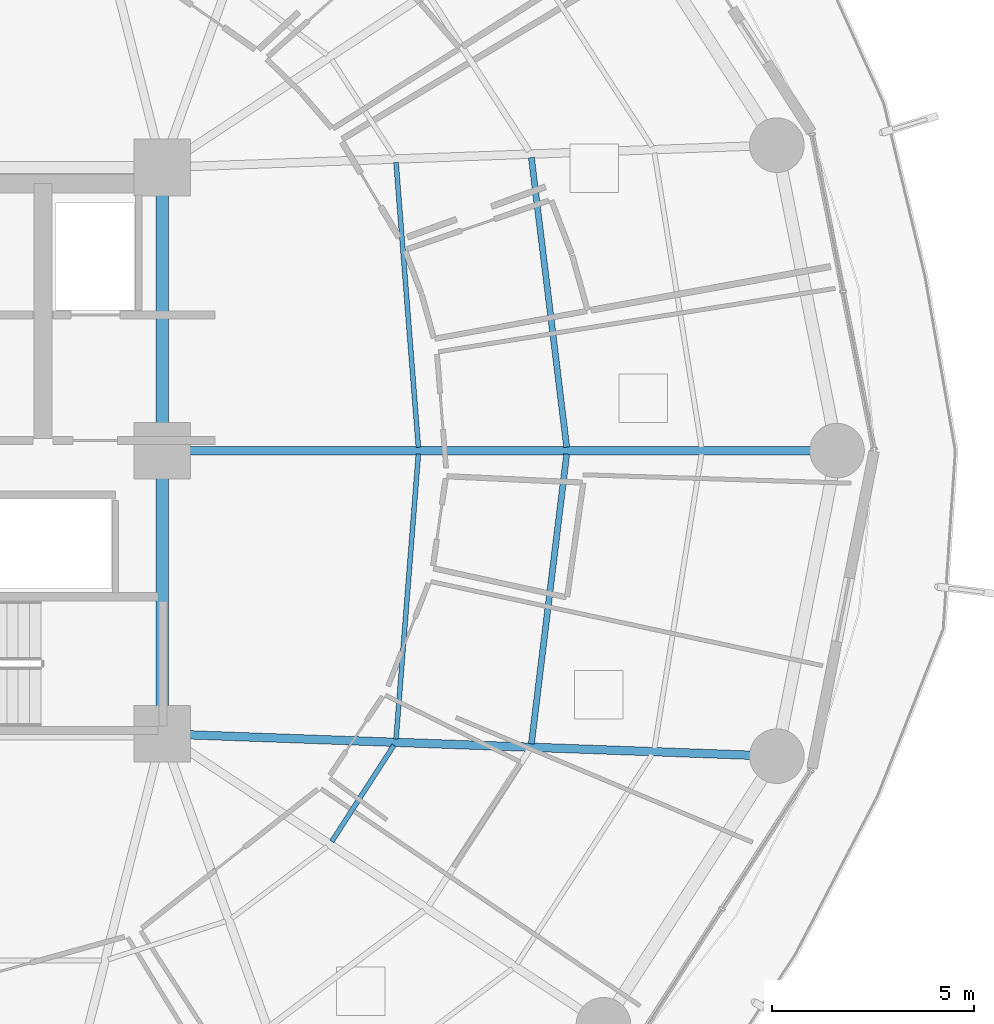
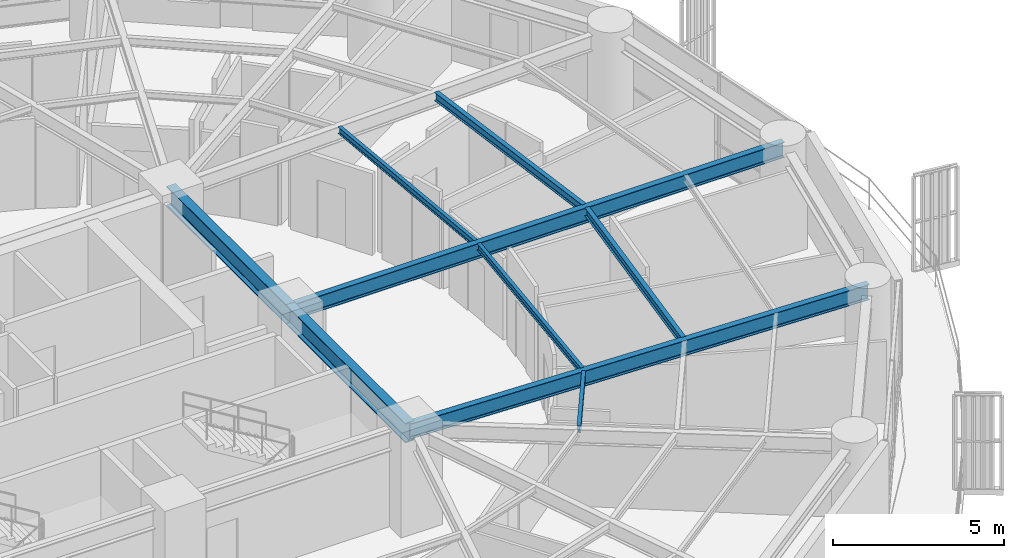
# One storey, part 12 of 33: 9 beams.
"""IFC4 building model written with IfcOpenShell, lengths in metres."""

from ifc_helpers import new_model, si_unit, direction, frame, origin, origin_2d, place, context, subcontext, project, spatial, i_section, extrude, material, material_profile, profile_set, type_object, element, save


model = new_model("IFC4")

# Units and contexts
model_context = context("Model", 3, precision=1e-05, world=origin(), true_north=direction((0.0, 1.0)))
body_context = subcontext(model_context, "Body", "Model", "MODEL_VIEW")
ifc_project = project(units=[si_unit("LENGTHUNIT", "METRE"), si_unit("AREAUNIT", "SQUARE_METRE"), si_unit("VOLUMEUNIT", "CUBIC_METRE"), si_unit("PLANEANGLEUNIT", "RADIAN"), si_unit("MASSUNIT", "GRAM", prefix="KILO")], contexts=[model_context])

# Site, building, storey
site_placement = place(None, origin())
site = spatial("IfcSite", under=ifc_project, at=site_placement, CompositionType="ELEMENT")
building_placement = place(site_placement, origin())
building = spatial("IfcBuilding", under=site, at=building_placement, Name="Kelanora Arch Commons", CompositionType="ELEMENT")
storey_placement = place(building_placement, frame((0.0, 0.0, 80.10009765625)))
storey = spatial("IfcBuildingStorey", under=building, at=storey_placement, Name="L20", CompositionType="ELEMENT", Elevation=80.10009765625)

# Beams
ifc_material = material(Name="Steel S355", Category="steel")
ifc_material_profile_1 = material_profile(ifc_material, i_section(OverallWidth=0.300048828125, OverallDepth=0.699951171875, WebThickness=0.01708984375, FlangeThickness=0.031982421875, FilletRadius=0.027099609375, at=origin_2d()), Name="HEB700")
ifc_profile_set_1 = profile_set([ifc_material_profile_1], Name="Steel S355")
beam_type_1 = type_object("IfcBeamType", Name="BM-CORE-HDR", PredefinedType="BEAM", material=ifc_profile_set_1)
for number, where, z_axis, x_axis, name in (
    (1, (82.0, 51.0, 3.139892578125), (0.0, 1.0, 0.0), (-1.0, 0.0, 0.0), "Core Header Beam 03 L20"),
    (2, (82.0, 58.0, 3.139892578125), (0.0, 1.0, 0.0), (-1.0, 0.0, 0.0), "Core Header Beam 04 L20"),
):
    element("IfcBeam", number, at=place(storey_placement, frame(where, z_axis=z_axis, x_axis=x_axis)), inside=storey, type_object=beam_type_1, Name=name, PredefinedType="BEAM", context=body_context, shape_type="SweptSolid", body=[
        extrude(i_section(OverallWidth=0.300048828125, OverallDepth=0.699951171875, WebThickness=0.01708984375, FlangeThickness=0.031982421875, FilletRadius=0.027099609375, at=origin_2d()), origin(), (0.0, 0.0, 1.0), 7.0),
    ])
ifc_material_profile_2 = material_profile(ifc_material, i_section(OverallWidth=0.14990234375, OverallDepth=0.300048828125, WebThickness=0.007080078125, FlangeThickness=0.0107421875, FilletRadius=0.014892578125, at=origin_2d()), Name="IPE300")
ifc_profile_set_2 = profile_set([ifc_material_profile_2], Name="Steel S355")
beam_type_2 = type_object("IfcBeamType", Name="BM-JST-01", PredefinedType="JOIST", material=ifc_profile_set_2)
for number, where, z_axis, x_axis, name in (
    (3, (91.997802734375, 58.08447265625, 3.33984375), (-0.120935645266, 0.992660349618, 0.0), (-0.992660349618, -0.120935645266, 0.0), "Secondary Chord Joist BJB-00 L20"),
    (4, (91.125244140625, 50.75341796875, 3.33984375), (0.120935645266, 0.992660349618, 0.0), (-0.992660349618, 0.120935645266, 0.0), "Secondary Chord Joist BJB-34 L20"),
):
    element("IfcBeam", number, at=place(storey_placement, frame(where, z_axis=z_axis, x_axis=x_axis)), inside=storey, type_object=beam_type_2, Name=name, PredefinedType="JOIST", context=body_context, shape_type="SweptSolid", body=[
        extrude(i_section(OverallWidth=0.14990234375, OverallDepth=0.300048828125, WebThickness=0.007080078125, FlangeThickness=0.0107421875, FilletRadius=0.014892578125, at=origin_2d()), origin(), (0.0, 0.0, 1.0), 7.215087890625),
    ])
ifc_material_profile_3 = material_profile(ifc_material, i_section(OverallWidth=0.1201171875, OverallDepth=0.239990234375, WebThickness=0.006103515625, FlangeThickness=0.009765625, FilletRadius=0.014892578125, at=origin_2d()), Name="IPE240")
ifc_profile_set_3 = profile_set([ifc_material_profile_3], Name="Steel S355")
beam_type_3 = type_object("IfcBeamType", Name="BM-JST-02", PredefinedType="JOIST", material=ifc_profile_set_3)
beam_1_placement = place(storey_placement, frame((88.331787109375, 58.084716796875, 3.369873046875), z_axis=(-0.078200677502, 0.996937637989, 0.0), x_axis=(-0.996937637989, -0.078200677502, 0.0)))
element("IfcBeam", 5, at=beam_1_placement, inside=storey, type_object=beam_type_3, Name="Secondary Chord Joist BJA-00 L20", PredefinedType="JOIST", context=body_context, shape_type="SweptSolid", body=[
    extrude(i_section(OverallWidth=0.1201171875, OverallDepth=0.239990234375, WebThickness=0.006103515625, FlangeThickness=0.009765625, FilletRadius=0.014892578125, at=origin_2d()), origin(), (0.0, 0.0, 1.0), 7.06201171875),
])
beam_2_placement = place(storey_placement, frame((86.1904296875, 48.338134765625, 3.369873046875), z_axis=(0.542211255502, 0.840242199849, 0.0), x_axis=(-0.840242199849, 0.542211255502, 0.0)))
element("IfcBeam", 6, at=beam_2_placement, inside=storey, type_object=beam_type_3, Name="Secondary Chord Joist BJA-32 L20", PredefinedType="JOIST", context=body_context, shape_type="SweptSolid", body=[
    extrude(i_section(OverallWidth=0.1201171875, OverallDepth=0.239990234375, WebThickness=0.006103515625, FlangeThickness=0.009765625, FilletRadius=0.014892578125, at=origin_2d()), origin(), (0.0, 0.0, 1.0), 2.83349609375),
])
beam_3_placement = place(storey_placement, frame((87.779541015625, 50.875, 3.369873046875), z_axis=(0.078200677502, 0.996937637989, 0.0), x_axis=(-0.996937637989, 0.078200677502, 0.0)))
element("IfcBeam", 7, at=beam_3_placement, inside=storey, type_object=beam_type_3, Name="Secondary Chord Joist BJA-34 L20", PredefinedType="JOIST", context=body_context, shape_type="SweptSolid", body=[
    extrude(i_section(OverallWidth=0.1201171875, OverallDepth=0.239990234375, WebThickness=0.006103515625, FlangeThickness=0.009765625, FilletRadius=0.014892578125, at=origin_2d()), origin(), (0.0, 0.0, 1.0), 7.06201171875),
])
ifc_material_profile_4 = material_profile(ifc_material, i_section(OverallWidth=0.2099609375, OverallDepth=0.550048828125, WebThickness=0.010986328125, FlangeThickness=0.01708984375, FilletRadius=0.02392578125, at=origin_2d()), Name="IPE550")
ifc_profile_set_4 = profile_set([ifc_material_profile_4], Name="Steel S355")
beam_type_4 = type_object("IfcBeamType", Name="BM-RAD-Z2", PredefinedType="BEAM", material=ifc_profile_set_4)
beam_4_placement = place(storey_placement, frame((82.0, 58.0, 3.21484375), z_axis=(1.0, 0.0, 0.0), x_axis=(0.0, 1.0, 0.0)))
element("IfcBeam", 8, at=beam_4_placement, inside=storey, type_object=beam_type_4, Name="Radial Floor Girder BR-00 L20", PredefinedType="BEAM", context=body_context, shape_type="SweptSolid", body=[
    extrude(i_section(OverallWidth=0.2099609375, OverallDepth=0.550048828125, WebThickness=0.010986328125, FlangeThickness=0.01708984375, FilletRadius=0.02392578125, at=origin_2d()), origin(), (0.0, 0.0, 1.0), 16.679931640625),
])
beam_5_placement = place(storey_placement, frame((82.0, 51.0, 3.21484375), z_axis=(0.999341087625, -0.036295875581, 0.0), x_axis=(0.036295875581, 0.999341087625, 0.0)))
element("IfcBeam", 9, at=beam_5_placement, inside=storey, type_object=beam_type_4, Name="Radial Floor Girder BR-34 L20", PredefinedType="BEAM", context=body_context, shape_type="SweptSolid", body=[
    extrude(i_section(OverallWidth=0.2099609375, OverallDepth=0.550048828125, WebThickness=0.010986328125, FlangeThickness=0.01708984375, FilletRadius=0.02392578125, at=origin_2d()), origin(), (0.0, 0.0, 1.0), 15.20166015625),
])

save(model, "model.ifc")
